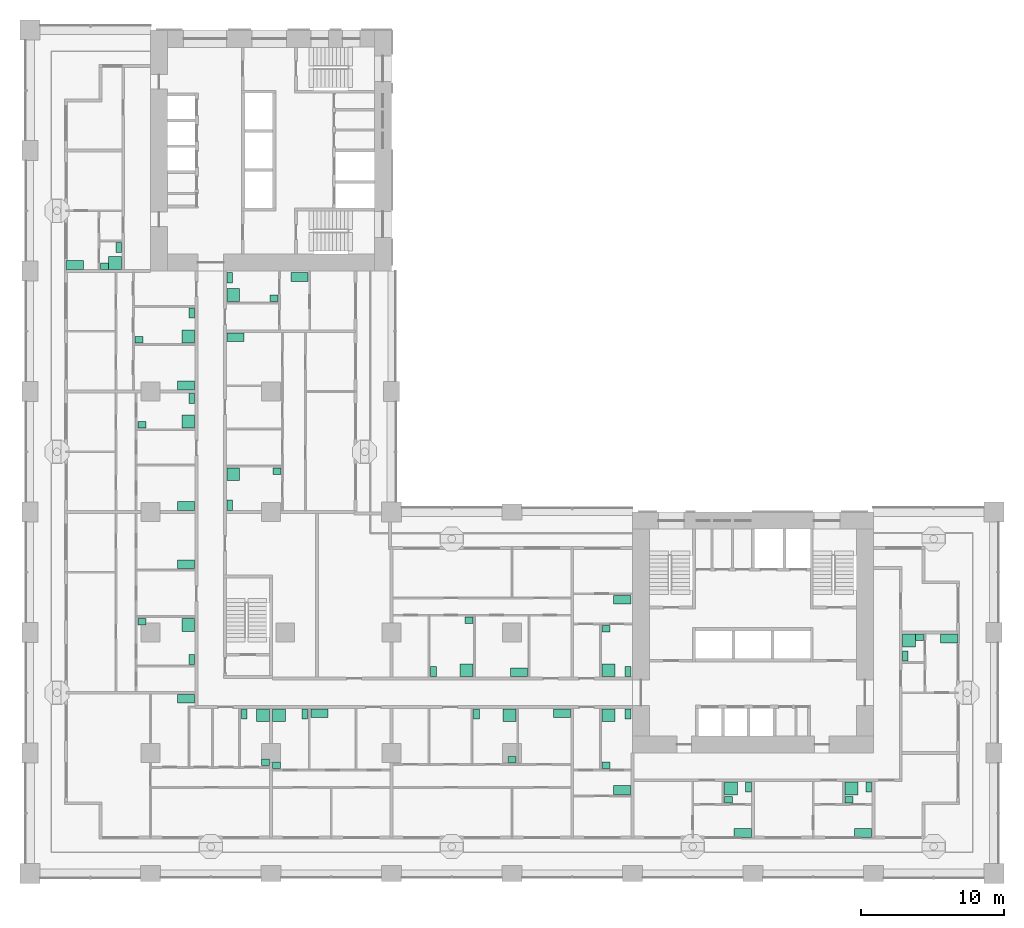
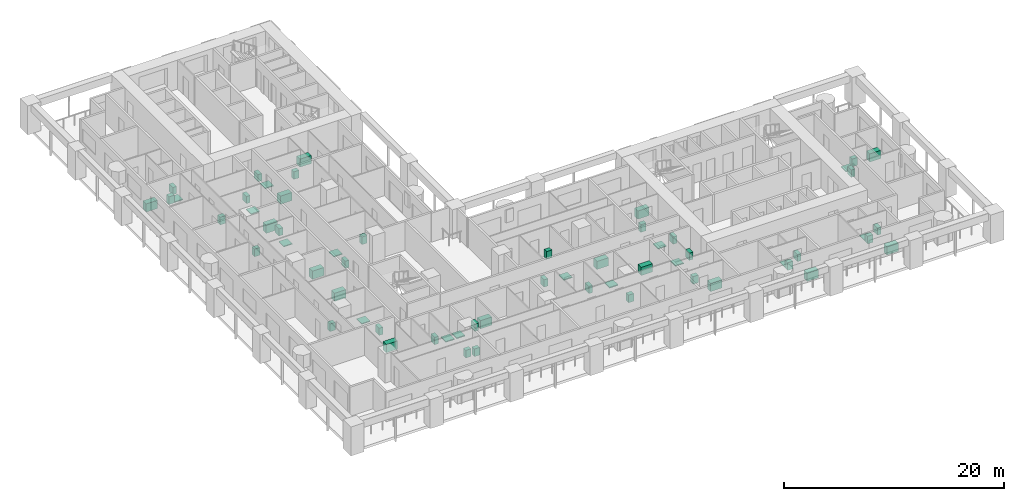
# One storey, part 20 of 22: 60 sanitary terminals.
"""IFC4 building model written with IfcOpenShell, lengths in metres."""

from ifc_helpers import new_model, si_unit, direction, frame, origin, origin_2d, place, context, subcontext, project, spatial, rectangle, extrude, material, element, save


model = new_model("IFC4")

# Units and contexts
model_context = context("Model", 3, precision=1e-05, world=origin(), true_north=direction((0.0, 1.0)))
body_context = subcontext(model_context, "Body", "Model", "MODEL_VIEW")
ifc_project = project(units=[si_unit("LENGTHUNIT", "METRE"), si_unit("AREAUNIT", "SQUARE_METRE"), si_unit("VOLUMEUNIT", "CUBIC_METRE"), si_unit("PLANEANGLEUNIT", "RADIAN"), si_unit("MASSUNIT", "GRAM", prefix="KILO")], contexts=[model_context])

# Site, building, storey
site_placement = place(None, origin())
site = spatial("IfcSite", under=ifc_project, at=site_placement, CompositionType="ELEMENT")
building_placement = place(site_placement, origin())
building = spatial("IfcBuilding", under=site, at=building_placement, Name="Vermilion Gate Residences", CompositionType="ELEMENT")
storey_placement = place(building_placement, frame((0.0, 0.0, 56.699951171875)))
storey = spatial("IfcBuildingStorey", under=building, at=storey_placement, Name="L13", CompositionType="ELEMENT", Elevation=56.699951171875)

# Sanitary terminals
ifc_material_1 = material(Name="Stainless steel", Category="steel")
sanitary_terminal_1_placement = place(storey_placement, frame((10.8798828125, 12.179931640625, 0.0), z_axis=(0.0, 0.0, 1.0), x_axis=(1.0, 0.0, 0.0)))
element("IfcSanitaryTerminal", 1, at=sanitary_terminal_1_placement, inside=storey, material=ifc_material_1, Name="Kitchen sink", PredefinedType="SINK", context=body_context, shape_type="SweptSolid", body=[
    extrude(rectangle(XDim=1.199951171875, YDim=0.60009765625, at=origin_2d()), origin(), (0.0, 0.0, 1.0), 0.89990234375),
])
ifc_material_2 = material(Name="Vitreous china")
sanitary_terminal_2_placement = place(storey_placement, frame((16.22998046875, 11.030029296875, 0.0), z_axis=(0.0, 0.0, 1.0), x_axis=(1.0, 0.0, 0.0)))
element("IfcSanitaryTerminal", 2, at=sanitary_terminal_2_placement, inside=storey, material=ifc_material_2, Name="Shower tray", PredefinedType="SHOWER", context=body_context, shape_type="SweptSolid", body=[
    extrude(rectangle(XDim=0.89990234375, YDim=0.89990234375, at=origin_2d()), origin(), (0.0, 0.0, 1.0), 0.10009765625),
])
sanitary_terminal_3_placement = place(storey_placement, frame((14.930908203125, 11.1298828125, 0.0), z_axis=(0.0, 0.0, 1.0), x_axis=(1.0, 0.0, 0.0)))
element("IfcSanitaryTerminal", 3, at=sanitary_terminal_3_placement, inside=storey, material=ifc_material_2, Name="Toilet", PredefinedType="TOILETPAN", context=body_context, shape_type="SweptSolid", body=[
    extrude(rectangle(XDim=0.39990234375, YDim=0.699951171875, at=origin_2d()), origin(), (0.0, 0.0, 1.0), 0.800048828125),
])
sanitary_terminal_4_placement = place(storey_placement, frame((16.405029296875, 7.7451171875, 0.0), z_axis=(0.0, 0.0, 1.0), x_axis=(1.0, 0.0, 0.0)))
element("IfcSanitaryTerminal", 4, at=sanitary_terminal_4_placement, inside=storey, material=ifc_material_2, Name="Wash basin", PredefinedType="WASHHANDBASIN", context=body_context, shape_type="SweptSolid", body=[
    extrude(rectangle(XDim=0.550048828125, YDim=0.449951171875, at=origin_2d()), origin(), (0.0, 0.0, 1.0), 0.85009765625),
])
sanitary_terminal_5_placement = place(storey_placement, frame((17.3701171875, 11.030029296875, 0.0), z_axis=(0.0, 0.0, 1.0), x_axis=(1.0, 0.0, 0.0)))
element("IfcSanitaryTerminal", 5, at=sanitary_terminal_5_placement, inside=storey, material=ifc_material_2, Name="Shower tray", PredefinedType="SHOWER", context=body_context, shape_type="SweptSolid", body=[
    extrude(rectangle(XDim=0.89990234375, YDim=0.89990234375, at=origin_2d()), origin(), (0.0, 0.0, 1.0), 0.10009765625),
])
sanitary_terminal_6_placement = place(storey_placement, frame((19.14697265625, 11.1298828125, 0.0), z_axis=(0.0, 0.0, 1.0), x_axis=(1.0, 0.0, 0.0)))
element("IfcSanitaryTerminal", 6, at=sanitary_terminal_6_placement, inside=storey, material=ifc_material_2, Name="Toilet", PredefinedType="TOILETPAN", context=body_context, shape_type="SweptSolid", body=[
    extrude(rectangle(XDim=0.39990234375, YDim=0.699951171875, at=origin_2d()), origin(), (0.0, 0.0, 1.0), 0.800048828125),
])
sanitary_terminal_7_placement = place(storey_placement, frame((17.195068359375, 7.544921875, 0.0), z_axis=(0.0, 0.0, 1.0), x_axis=(1.0, 0.0, 0.0)))
element("IfcSanitaryTerminal", 7, at=sanitary_terminal_7_placement, inside=storey, material=ifc_material_2, Name="Wash basin", PredefinedType="WASHHANDBASIN", context=body_context, shape_type="SweptSolid", body=[
    extrude(rectangle(XDim=0.550048828125, YDim=0.449951171875, at=origin_2d()), origin(), (0.0, 0.0, 1.0), 0.85009765625),
])
sanitary_terminal_8_placement = place(storey_placement, frame((20.18701171875, 11.179931640625, 0.0), z_axis=(0.0, 0.0, 1.0), x_axis=(1.0, 0.0, 0.0)))
element("IfcSanitaryTerminal", 8, at=sanitary_terminal_8_placement, inside=storey, material=ifc_material_1, Name="Kitchen sink", PredefinedType="SINK", context=body_context, shape_type="SweptSolid", body=[
    extrude(rectangle(XDim=1.199951171875, YDim=0.60009765625, at=origin_2d()), origin(), (0.0, 0.0, 1.0), 0.89990234375),
])
sanitary_terminal_9_placement = place(storey_placement, frame((33.429931640625, 11.030029296875, 0.0), z_axis=(0.0, 0.0, 1.0), x_axis=(1.0, 0.0, 0.0)))
element("IfcSanitaryTerminal", 9, at=sanitary_terminal_9_placement, inside=storey, material=ifc_material_2, Name="Shower tray", PredefinedType="SHOWER", context=body_context, shape_type="SweptSolid", body=[
    extrude(rectangle(XDim=0.89990234375, YDim=0.89990234375, at=origin_2d()), origin(), (0.0, 0.0, 1.0), 0.10009765625),
])
sanitary_terminal_10_placement = place(storey_placement, frame((31.1201171875, 11.1298828125, 0.0), z_axis=(0.0, 0.0, 1.0), x_axis=(1.0, 0.0, 0.0)))
element("IfcSanitaryTerminal", 10, at=sanitary_terminal_10_placement, inside=storey, material=ifc_material_2, Name="Toilet", PredefinedType="TOILETPAN", context=body_context, shape_type="SweptSolid", body=[
    extrude(rectangle(XDim=0.39990234375, YDim=0.699951171875, at=origin_2d()), origin(), (0.0, 0.0, 1.0), 0.800048828125),
])
sanitary_terminal_11_placement = place(storey_placement, frame((33.60498046875, 7.945068359375, 0.0), z_axis=(0.0, 0.0, 1.0), x_axis=(1.0, 0.0, 0.0)))
element("IfcSanitaryTerminal", 11, at=sanitary_terminal_11_placement, inside=storey, material=ifc_material_2, Name="Wash basin", PredefinedType="WASHHANDBASIN", context=body_context, shape_type="SweptSolid", body=[
    extrude(rectangle(XDim=0.550048828125, YDim=0.449951171875, at=origin_2d()), origin(), (0.0, 0.0, 1.0), 0.85009765625),
])
for number, where, z_axis, x_axis, name in (
    (12, (37.080078125, 11.179931640625, 0.0), (0.0, 0.0, 1.0), (1.0, 0.0, 0.0), "Kitchen sink"),
    (13, (41.280029296875, 5.820068359375, 0.0), (0.0, 0.0, 1.0), (1.0, 0.0, 0.0), "Kitchen sink"),
):
    element("IfcSanitaryTerminal", number, at=place(storey_placement, frame(where, z_axis=z_axis, x_axis=x_axis)), inside=storey, material=ifc_material_1, Name=name, PredefinedType="SINK", context=body_context, shape_type="SweptSolid", body=[
        extrude(rectangle(XDim=1.199951171875, YDim=0.60009765625, at=origin_2d()), origin(), (0.0, 0.0, 1.0), 0.89990234375),
    ])
sanitary_terminal_12_placement = place(storey_placement, frame((40.330078125, 11.030029296875, 0.0), z_axis=(0.0, 0.0, 1.0), x_axis=(1.0, 0.0, 0.0)))
element("IfcSanitaryTerminal", 14, at=sanitary_terminal_12_placement, inside=storey, material=ifc_material_2, Name="Shower tray", PredefinedType="SHOWER", context=body_context, shape_type="SweptSolid", body=[
    extrude(rectangle(XDim=0.89990234375, YDim=0.89990234375, at=origin_2d()), origin(), (0.0, 0.0, 1.0), 0.10009765625),
])
sanitary_terminal_13_placement = place(storey_placement, frame((41.679931640625, 11.1298828125, 0.0), z_axis=(0.0, 0.0, 1.0), x_axis=(1.0, 0.0, 0.0)))
element("IfcSanitaryTerminal", 15, at=sanitary_terminal_13_placement, inside=storey, material=ifc_material_2, Name="Toilet", PredefinedType="TOILETPAN", context=body_context, shape_type="SweptSolid", body=[
    extrude(rectangle(XDim=0.39990234375, YDim=0.699951171875, at=origin_2d()), origin(), (0.0, 0.0, 1.0), 0.800048828125),
])
sanitary_terminal_14_placement = place(storey_placement, frame((40.155029296875, 7.544921875, 0.0), z_axis=(0.0, 0.0, 1.0), x_axis=(1.0, 0.0, 0.0)))
element("IfcSanitaryTerminal", 16, at=sanitary_terminal_14_placement, inside=storey, material=ifc_material_2, Name="Wash basin", PredefinedType="WASHHANDBASIN", context=body_context, shape_type="SweptSolid", body=[
    extrude(rectangle(XDim=0.550048828125, YDim=0.449951171875, at=origin_2d()), origin(), (0.0, 0.0, 1.0), 0.85009765625),
])
sanitary_terminal_15_placement = place(storey_placement, frame((30.429931640625, 14.169921875, 0.0), z_axis=(0.0, 0.0, 1.0), x_axis=(1.0, 0.0, 0.0)))
element("IfcSanitaryTerminal", 17, at=sanitary_terminal_15_placement, inside=storey, material=ifc_material_2, Name="Shower tray", PredefinedType="SHOWER", context=body_context, shape_type="SweptSolid", body=[
    extrude(rectangle(XDim=0.89990234375, YDim=0.89990234375, at=origin_2d()), origin(), (0.0, 0.0, 1.0), 0.10009765625),
])
sanitary_terminal_16_placement = place(storey_placement, frame((28.1201171875, 14.070068359375, 0.0), z_axis=(0.0, 0.0, 1.0), x_axis=(1.0, 0.0, 0.0)))
element("IfcSanitaryTerminal", 18, at=sanitary_terminal_16_placement, inside=storey, material=ifc_material_2, Name="Toilet", PredefinedType="TOILETPAN", context=body_context, shape_type="SweptSolid", body=[
    extrude(rectangle(XDim=0.39990234375, YDim=0.699951171875, at=origin_2d()), origin(), (0.0, 0.0, 1.0), 0.800048828125),
])
sanitary_terminal_17_placement = place(storey_placement, frame((30.60498046875, 17.655029296875, 0.0), z_axis=(0.0, 0.0, 1.0), x_axis=(1.0, 0.0, 0.0)))
element("IfcSanitaryTerminal", 19, at=sanitary_terminal_17_placement, inside=storey, material=ifc_material_2, Name="Wash basin", PredefinedType="WASHHANDBASIN", context=body_context, shape_type="SweptSolid", body=[
    extrude(rectangle(XDim=0.550048828125, YDim=0.449951171875, at=origin_2d()), origin(), (0.0, 0.0, 1.0), 0.85009765625),
])
for number, where, z_axis, x_axis, name in (
    (20, (34.080078125, 14.02001953125, 0.0), (0.0, 0.0, 1.0), (1.0, 0.0, 0.0), "Kitchen sink"),
    (21, (41.280029296875, 19.080078125, 0.0), (0.0, 0.0, 1.0), (1.0, 0.0, 0.0), "Kitchen sink"),
):
    element("IfcSanitaryTerminal", number, at=place(storey_placement, frame(where, z_axis=z_axis, x_axis=x_axis)), inside=storey, material=ifc_material_1, Name=name, PredefinedType="SINK", context=body_context, shape_type="SweptSolid", body=[
        extrude(rectangle(XDim=1.199951171875, YDim=0.60009765625, at=origin_2d()), origin(), (0.0, 0.0, 1.0), 0.89990234375),
    ])
sanitary_terminal_18_placement = place(storey_placement, frame((40.330078125, 14.169921875, 0.0), z_axis=(0.0, 0.0, 1.0), x_axis=(1.0, 0.0, 0.0)))
element("IfcSanitaryTerminal", 22, at=sanitary_terminal_18_placement, inside=storey, material=ifc_material_2, Name="Shower tray", PredefinedType="SHOWER", context=body_context, shape_type="SweptSolid", body=[
    extrude(rectangle(XDim=0.89990234375, YDim=0.89990234375, at=origin_2d()), origin(), (0.0, 0.0, 1.0), 0.10009765625),
])
sanitary_terminal_19_placement = place(storey_placement, frame((41.679931640625, 14.070068359375, 0.0), z_axis=(0.0, 0.0, 1.0), x_axis=(1.0, 0.0, 0.0)))
element("IfcSanitaryTerminal", 23, at=sanitary_terminal_19_placement, inside=storey, material=ifc_material_2, Name="Toilet", PredefinedType="TOILETPAN", context=body_context, shape_type="SweptSolid", body=[
    extrude(rectangle(XDim=0.39990234375, YDim=0.699951171875, at=origin_2d()), origin(), (0.0, 0.0, 1.0), 0.800048828125),
])
sanitary_terminal_20_placement = place(storey_placement, frame((40.155029296875, 17.054931640625, 0.0), z_axis=(0.0, 0.0, 1.0), x_axis=(1.0, 0.0, 0.0)))
element("IfcSanitaryTerminal", 24, at=sanitary_terminal_20_placement, inside=storey, material=ifc_material_2, Name="Wash basin", PredefinedType="WASHHANDBASIN", context=body_context, shape_type="SweptSolid", body=[
    extrude(rectangle(XDim=0.550048828125, YDim=0.449951171875, at=origin_2d()), origin(), (0.0, 0.0, 1.0), 0.85009765625),
])
sanitary_terminal_21_placement = place(storey_placement, frame((11.030029296875, 17.330078125, 0.0), z_axis=(0.0, 0.0, 1.0), x_axis=(1.0, 0.0, 0.0)))
element("IfcSanitaryTerminal", 25, at=sanitary_terminal_21_placement, inside=storey, material=ifc_material_2, Name="Shower tray", PredefinedType="SHOWER", context=body_context, shape_type="SweptSolid", body=[
    extrude(rectangle(XDim=0.89990234375, YDim=0.89990234375, at=origin_2d()), origin(), (0.0, 0.0, 1.0), 0.10009765625),
])
sanitary_terminal_22_placement = place(storey_placement, frame((11.280029296875, 14.919921875, 0.0), z_axis=(0.0, 0.0, 1.0), x_axis=(1.0, 0.0, 0.0)))
element("IfcSanitaryTerminal", 26, at=sanitary_terminal_22_placement, inside=storey, material=ifc_material_2, Name="Toilet", PredefinedType="TOILETPAN", context=body_context, shape_type="SweptSolid", body=[
    extrude(rectangle(XDim=0.39990234375, YDim=0.699951171875, at=origin_2d()), origin(), (0.0, 0.0, 1.0), 0.800048828125),
])
sanitary_terminal_23_placement = place(storey_placement, frame((7.794921875, 17.554931640625, 0.0), z_axis=(0.0, 0.0, 1.0), x_axis=(1.0, 0.0, 0.0)))
element("IfcSanitaryTerminal", 27, at=sanitary_terminal_23_placement, inside=storey, material=ifc_material_2, Name="Wash basin", PredefinedType="WASHHANDBASIN", context=body_context, shape_type="SweptSolid", body=[
    extrude(rectangle(XDim=0.550048828125, YDim=0.449951171875, at=origin_2d()), origin(), (0.0, 0.0, 1.0), 0.85009765625),
])
for number, where, z_axis, x_axis, name in (
    (28, (10.8798828125, 21.570068359375, 0.0), (0.0, 0.0, 1.0), (1.0, 0.0, 0.0), "Kitchen sink"),
    (29, (10.8798828125, 25.6201171875, 0.0), (0.0, 0.0, 1.0), (1.0, 0.0, 0.0), "Kitchen sink"),
):
    element("IfcSanitaryTerminal", number, at=place(storey_placement, frame(where, z_axis=z_axis, x_axis=x_axis)), inside=storey, material=ifc_material_1, Name=name, PredefinedType="SINK", context=body_context, shape_type="SweptSolid", body=[
        extrude(rectangle(XDim=1.199951171875, YDim=0.60009765625, at=origin_2d()), origin(), (0.0, 0.0, 1.0), 0.89990234375),
    ])
sanitary_terminal_24_placement = place(storey_placement, frame((11.030029296875, 31.5029296875, 0.0), z_axis=(0.0, 0.0, 1.0), x_axis=(1.0, 0.0, 0.0)))
element("IfcSanitaryTerminal", 30, at=sanitary_terminal_24_placement, inside=storey, material=ifc_material_2, Name="Shower tray", PredefinedType="SHOWER", context=body_context, shape_type="SweptSolid", body=[
    extrude(rectangle(XDim=0.89990234375, YDim=0.89990234375, at=origin_2d()), origin(), (0.0, 0.0, 1.0), 0.10009765625),
])
sanitary_terminal_25_placement = place(storey_placement, frame((11.280029296875, 33.1298828125, 0.0), z_axis=(0.0, 0.0, 1.0), x_axis=(1.0, 0.0, 0.0)))
element("IfcSanitaryTerminal", 31, at=sanitary_terminal_25_placement, inside=storey, material=ifc_material_2, Name="Toilet", PredefinedType="TOILETPAN", context=body_context, shape_type="SweptSolid", body=[
    extrude(rectangle(XDim=0.39990234375, YDim=0.699951171875, at=origin_2d()), origin(), (0.0, 0.0, 1.0), 0.800048828125),
])
sanitary_terminal_26_placement = place(storey_placement, frame((7.794921875, 31.278076171875, 0.0), z_axis=(0.0, 0.0, 1.0), x_axis=(1.0, 0.0, 0.0)))
element("IfcSanitaryTerminal", 32, at=sanitary_terminal_26_placement, inside=storey, material=ifc_material_2, Name="Wash basin", PredefinedType="WASHHANDBASIN", context=body_context, shape_type="SweptSolid", body=[
    extrude(rectangle(XDim=0.550048828125, YDim=0.449951171875, at=origin_2d()), origin(), (0.0, 0.0, 1.0), 0.85009765625),
])
sanitary_terminal_27_placement = place(storey_placement, frame((10.8798828125, 34.02001953125, 0.0), z_axis=(0.0, 0.0, 1.0), x_axis=(1.0, 0.0, 0.0)))
element("IfcSanitaryTerminal", 33, at=sanitary_terminal_27_placement, inside=storey, material=ifc_material_1, Name="Kitchen sink", PredefinedType="SINK", context=body_context, shape_type="SweptSolid", body=[
    extrude(rectangle(XDim=1.199951171875, YDim=0.60009765625, at=origin_2d()), origin(), (0.0, 0.0, 1.0), 0.89990234375),
])
sanitary_terminal_28_placement = place(storey_placement, frame((11.030029296875, 37.43701171875, 0.0), z_axis=(0.0, 0.0, 1.0), x_axis=(1.0, 0.0, 0.0)))
element("IfcSanitaryTerminal", 34, at=sanitary_terminal_28_placement, inside=storey, material=ifc_material_2, Name="Shower tray", PredefinedType="SHOWER", context=body_context, shape_type="SweptSolid", body=[
    extrude(rectangle(XDim=0.89990234375, YDim=0.89990234375, at=origin_2d()), origin(), (0.0, 0.0, 1.0), 0.10009765625),
])
sanitary_terminal_29_placement = place(storey_placement, frame((11.280029296875, 39.06298828125, 0.0), z_axis=(0.0, 0.0, 1.0), x_axis=(1.0, 0.0, 0.0)))
element("IfcSanitaryTerminal", 35, at=sanitary_terminal_29_placement, inside=storey, material=ifc_material_2, Name="Toilet", PredefinedType="TOILETPAN", context=body_context, shape_type="SweptSolid", body=[
    extrude(rectangle(XDim=0.39990234375, YDim=0.699951171875, at=origin_2d()), origin(), (0.0, 0.0, 1.0), 0.800048828125),
])
sanitary_terminal_30_placement = place(storey_placement, frame((7.594970703125, 37.2119140625, 0.0), z_axis=(0.0, 0.0, 1.0), x_axis=(1.0, 0.0, 0.0)))
element("IfcSanitaryTerminal", 36, at=sanitary_terminal_30_placement, inside=storey, material=ifc_material_2, Name="Wash basin", PredefinedType="WASHHANDBASIN", context=body_context, shape_type="SweptSolid", body=[
    extrude(rectangle(XDim=0.550048828125, YDim=0.449951171875, at=origin_2d()), origin(), (0.0, 0.0, 1.0), 0.85009765625),
])
sanitary_terminal_31_placement = place(storey_placement, frame((14.169921875, 27.830078125, 0.0), z_axis=(0.0, 0.0, 1.0), x_axis=(1.0, 0.0, 0.0)))
element("IfcSanitaryTerminal", 37, at=sanitary_terminal_31_placement, inside=storey, material=ifc_material_2, Name="Shower tray", PredefinedType="SHOWER", context=body_context, shape_type="SweptSolid", body=[
    extrude(rectangle(XDim=0.89990234375, YDim=0.89990234375, at=origin_2d()), origin(), (0.0, 0.0, 1.0), 0.10009765625),
])
sanitary_terminal_32_placement = place(storey_placement, frame((13.919921875, 25.669921875, 0.0), z_axis=(0.0, 0.0, 1.0), x_axis=(1.0, 0.0, 0.0)))
element("IfcSanitaryTerminal", 38, at=sanitary_terminal_32_placement, inside=storey, material=ifc_material_2, Name="Toilet", PredefinedType="TOILETPAN", context=body_context, shape_type="SweptSolid", body=[
    extrude(rectangle(XDim=0.39990234375, YDim=0.699951171875, at=origin_2d()), origin(), (0.0, 0.0, 1.0), 0.800048828125),
])
sanitary_terminal_33_placement = place(storey_placement, frame((17.205078125, 28.054931640625, 0.0), z_axis=(0.0, 0.0, 1.0), x_axis=(1.0, 0.0, 0.0)))
element("IfcSanitaryTerminal", 39, at=sanitary_terminal_33_placement, inside=storey, material=ifc_material_2, Name="Wash basin", PredefinedType="WASHHANDBASIN", context=body_context, shape_type="SweptSolid", body=[
    extrude(rectangle(XDim=0.550048828125, YDim=0.449951171875, at=origin_2d()), origin(), (0.0, 0.0, 1.0), 0.85009765625),
])
for number, where, z_axis, x_axis, name in (
    (40, (14.320068359375, 37.3798828125, 0.0), (0.0, 0.0, 1.0), (1.0, 0.0, 0.0), "Kitchen sink"),
    (41, (18.780029296875, 41.580078125, 0.0), (0.0, 0.0, 1.0), (1.0, 0.0, 0.0), "Kitchen sink"),
):
    element("IfcSanitaryTerminal", number, at=place(storey_placement, frame(where, z_axis=z_axis, x_axis=x_axis)), inside=storey, material=ifc_material_1, Name=name, PredefinedType="SINK", context=body_context, shape_type="SweptSolid", body=[
        extrude(rectangle(XDim=1.199951171875, YDim=0.60009765625, at=origin_2d()), origin(), (0.0, 0.0, 1.0), 0.89990234375),
    ])
sanitary_terminal_34_placement = place(storey_placement, frame((14.169921875, 40.330078125, 0.0), z_axis=(0.0, 0.0, 1.0), x_axis=(1.0, 0.0, 0.0)))
element("IfcSanitaryTerminal", 42, at=sanitary_terminal_34_placement, inside=storey, material=ifc_material_2, Name="Shower tray", PredefinedType="SHOWER", context=body_context, shape_type="SweptSolid", body=[
    extrude(rectangle(XDim=0.89990234375, YDim=0.89990234375, at=origin_2d()), origin(), (0.0, 0.0, 1.0), 0.10009765625),
])
sanitary_terminal_35_placement = place(storey_placement, frame((13.919921875, 41.530029296875, 0.0), z_axis=(0.0, 0.0, 1.0), x_axis=(1.0, 0.0, 0.0)))
element("IfcSanitaryTerminal", 43, at=sanitary_terminal_35_placement, inside=storey, material=ifc_material_2, Name="Toilet", PredefinedType="TOILETPAN", context=body_context, shape_type="SweptSolid", body=[
    extrude(rectangle(XDim=0.39990234375, YDim=0.699951171875, at=origin_2d()), origin(), (0.0, 0.0, 1.0), 0.800048828125),
])
sanitary_terminal_36_placement = place(storey_placement, frame((17.0048828125, 40.10498046875, 0.0), z_axis=(0.0, 0.0, 1.0), x_axis=(1.0, 0.0, 0.0)))
element("IfcSanitaryTerminal", 44, at=sanitary_terminal_36_placement, inside=storey, material=ifc_material_2, Name="Wash basin", PredefinedType="WASHHANDBASIN", context=body_context, shape_type="SweptSolid", body=[
    extrude(rectangle(XDim=0.550048828125, YDim=0.449951171875, at=origin_2d()), origin(), (0.0, 0.0, 1.0), 0.85009765625),
])
sanitary_terminal_37_placement = place(storey_placement, frame((49.679931640625, 2.820068359375, 0.0), z_axis=(0.0, 0.0, 1.0), x_axis=(1.0, 0.0, 0.0)))
element("IfcSanitaryTerminal", 45, at=sanitary_terminal_37_placement, inside=storey, material=ifc_material_1, Name="Kitchen sink", PredefinedType="SINK", context=body_context, shape_type="SweptSolid", body=[
    extrude(rectangle(XDim=1.199951171875, YDim=0.60009765625, at=origin_2d()), origin(), (0.0, 0.0, 1.0), 0.89990234375),
])
sanitary_terminal_38_placement = place(storey_placement, frame((48.8701171875, 5.929931640625, 0.0), z_axis=(0.0, 0.0, 1.0), x_axis=(1.0, 0.0, 0.0)))
element("IfcSanitaryTerminal", 46, at=sanitary_terminal_38_placement, inside=storey, material=ifc_material_2, Name="Shower tray", PredefinedType="SHOWER", context=body_context, shape_type="SweptSolid", body=[
    extrude(rectangle(XDim=0.89990234375, YDim=0.89990234375, at=origin_2d()), origin(), (0.0, 0.0, 1.0), 0.10009765625),
])
sanitary_terminal_39_placement = place(storey_placement, frame((50.080078125, 6.030029296875, 0.0), z_axis=(0.0, 0.0, 1.0), x_axis=(1.0, 0.0, 0.0)))
element("IfcSanitaryTerminal", 47, at=sanitary_terminal_39_placement, inside=storey, material=ifc_material_2, Name="Toilet", PredefinedType="TOILETPAN", context=body_context, shape_type="SweptSolid", body=[
    extrude(rectangle(XDim=0.39990234375, YDim=0.699951171875, at=origin_2d()), origin(), (0.0, 0.0, 1.0), 0.800048828125),
])
sanitary_terminal_40_placement = place(storey_placement, frame((48.695068359375, 5.14501953125, 0.0), z_axis=(0.0, 0.0, 1.0), x_axis=(1.0, 0.0, 0.0)))
element("IfcSanitaryTerminal", 48, at=sanitary_terminal_40_placement, inside=storey, material=ifc_material_2, Name="Wash basin", PredefinedType="WASHHANDBASIN", context=body_context, shape_type="SweptSolid", body=[
    extrude(rectangle(XDim=0.550048828125, YDim=0.449951171875, at=origin_2d()), origin(), (0.0, 0.0, 1.0), 0.85009765625),
])
sanitary_terminal_41_placement = place(storey_placement, frame((58.080078125, 2.820068359375, 0.0), z_axis=(0.0, 0.0, 1.0), x_axis=(1.0, 0.0, 0.0)))
element("IfcSanitaryTerminal", 49, at=sanitary_terminal_41_placement, inside=storey, material=ifc_material_1, Name="Kitchen sink", PredefinedType="SINK", context=body_context, shape_type="SweptSolid", body=[
    extrude(rectangle(XDim=1.199951171875, YDim=0.60009765625, at=origin_2d()), origin(), (0.0, 0.0, 1.0), 0.89990234375),
])
sanitary_terminal_42_placement = place(storey_placement, frame((57.27001953125, 5.929931640625, 0.0), z_axis=(0.0, 0.0, 1.0), x_axis=(1.0, 0.0, 0.0)))
element("IfcSanitaryTerminal", 50, at=sanitary_terminal_42_placement, inside=storey, material=ifc_material_2, Name="Shower tray", PredefinedType="SHOWER", context=body_context, shape_type="SweptSolid", body=[
    extrude(rectangle(XDim=0.89990234375, YDim=0.89990234375, at=origin_2d()), origin(), (0.0, 0.0, 1.0), 0.10009765625),
])
sanitary_terminal_43_placement = place(storey_placement, frame((58.47998046875, 6.030029296875, 0.0), z_axis=(0.0, 0.0, 1.0), x_axis=(1.0, 0.0, 0.0)))
element("IfcSanitaryTerminal", 51, at=sanitary_terminal_43_placement, inside=storey, material=ifc_material_2, Name="Toilet", PredefinedType="TOILETPAN", context=body_context, shape_type="SweptSolid", body=[
    extrude(rectangle(XDim=0.39990234375, YDim=0.699951171875, at=origin_2d()), origin(), (0.0, 0.0, 1.0), 0.800048828125),
])
sanitary_terminal_44_placement = place(storey_placement, frame((57.094970703125, 5.14501953125, 0.0), z_axis=(0.0, 0.0, 1.0), x_axis=(1.0, 0.0, 0.0)))
element("IfcSanitaryTerminal", 52, at=sanitary_terminal_44_placement, inside=storey, material=ifc_material_2, Name="Wash basin", PredefinedType="WASHHANDBASIN", context=body_context, shape_type="SweptSolid", body=[
    extrude(rectangle(XDim=0.550048828125, YDim=0.449951171875, at=origin_2d()), origin(), (0.0, 0.0, 1.0), 0.85009765625),
])
sanitary_terminal_45_placement = place(storey_placement, frame((64.080078125, 16.3798828125, 0.0), z_axis=(0.0, 0.0, 1.0), x_axis=(1.0, 0.0, 0.0)))
element("IfcSanitaryTerminal", 53, at=sanitary_terminal_45_placement, inside=storey, material=ifc_material_1, Name="Kitchen sink", PredefinedType="SINK", context=body_context, shape_type="SweptSolid", body=[
    extrude(rectangle(XDim=1.199951171875, YDim=0.60009765625, at=origin_2d()), origin(), (0.0, 0.0, 1.0), 0.89990234375),
])
sanitary_terminal_46_placement = place(storey_placement, frame((61.27001953125, 16.22998046875, 0.0), z_axis=(0.0, 0.0, 1.0), x_axis=(1.0, 0.0, 0.0)))
element("IfcSanitaryTerminal", 54, at=sanitary_terminal_46_placement, inside=storey, material=ifc_material_2, Name="Shower tray", PredefinedType="SHOWER", context=body_context, shape_type="SweptSolid", body=[
    extrude(rectangle(XDim=0.89990234375, YDim=0.89990234375, at=origin_2d()), origin(), (0.0, 0.0, 1.0), 0.10009765625),
])
sanitary_terminal_47_placement = place(storey_placement, frame((61.02001953125, 15.169921875, 0.0), z_axis=(0.0, 0.0, 1.0), x_axis=(1.0, 0.0, 0.0)))
element("IfcSanitaryTerminal", 55, at=sanitary_terminal_47_placement, inside=storey, material=ifc_material_2, Name="Toilet", PredefinedType="TOILETPAN", context=body_context, shape_type="SweptSolid", body=[
    extrude(rectangle(XDim=0.39990234375, YDim=0.699951171875, at=origin_2d()), origin(), (0.0, 0.0, 1.0), 0.800048828125),
])
sanitary_terminal_48_placement = place(storey_placement, frame((62.0048828125, 16.455078125, 0.0), z_axis=(0.0, 0.0, 1.0), x_axis=(1.0, 0.0, 0.0)))
element("IfcSanitaryTerminal", 56, at=sanitary_terminal_48_placement, inside=storey, material=ifc_material_2, Name="Wash basin", PredefinedType="WASHHANDBASIN", context=body_context, shape_type="SweptSolid", body=[
    extrude(rectangle(XDim=0.550048828125, YDim=0.449951171875, at=origin_2d()), origin(), (0.0, 0.0, 1.0), 0.85009765625),
])
sanitary_terminal_49_placement = place(storey_placement, frame((3.1201171875, 42.419921875, 0.0), z_axis=(0.0, 0.0, 1.0), x_axis=(1.0, 0.0, 0.0)))
element("IfcSanitaryTerminal", 57, at=sanitary_terminal_49_placement, inside=storey, material=ifc_material_1, Name="Kitchen sink", PredefinedType="SINK", context=body_context, shape_type="SweptSolid", body=[
    extrude(rectangle(XDim=1.199951171875, YDim=0.60009765625, at=origin_2d()), origin(), (0.0, 0.0, 1.0), 0.89990234375),
])
sanitary_terminal_50_placement = place(storey_placement, frame((5.929931640625, 42.570068359375, 0.0), z_axis=(0.0, 0.0, 1.0), x_axis=(1.0, 0.0, 0.0)))
element("IfcSanitaryTerminal", 58, at=sanitary_terminal_50_placement, inside=storey, material=ifc_material_2, Name="Shower tray", PredefinedType="SHOWER", context=body_context, shape_type="SweptSolid", body=[
    extrude(rectangle(XDim=0.89990234375, YDim=0.89990234375, at=origin_2d()), origin(), (0.0, 0.0, 1.0), 0.10009765625),
])
sanitary_terminal_51_placement = place(storey_placement, frame((6.179931640625, 43.6298828125, 0.0), z_axis=(0.0, 0.0, 1.0), x_axis=(1.0, 0.0, 0.0)))
element("IfcSanitaryTerminal", 59, at=sanitary_terminal_51_placement, inside=storey, material=ifc_material_2, Name="Toilet", PredefinedType="TOILETPAN", context=body_context, shape_type="SweptSolid", body=[
    extrude(rectangle(XDim=0.39990234375, YDim=0.699951171875, at=origin_2d()), origin(), (0.0, 0.0, 1.0), 0.800048828125),
])
sanitary_terminal_52_placement = place(storey_placement, frame((5.195068359375, 42.344970703125, 0.0), z_axis=(0.0, 0.0, 1.0), x_axis=(1.0, 0.0, 0.0)))
element("IfcSanitaryTerminal", 60, at=sanitary_terminal_52_placement, inside=storey, material=ifc_material_2, Name="Wash basin", PredefinedType="WASHHANDBASIN", context=body_context, shape_type="SweptSolid", body=[
    extrude(rectangle(XDim=0.550048828125, YDim=0.449951171875, at=origin_2d()), origin(), (0.0, 0.0, 1.0), 0.85009765625),
])

save(model, "model.ifc")
